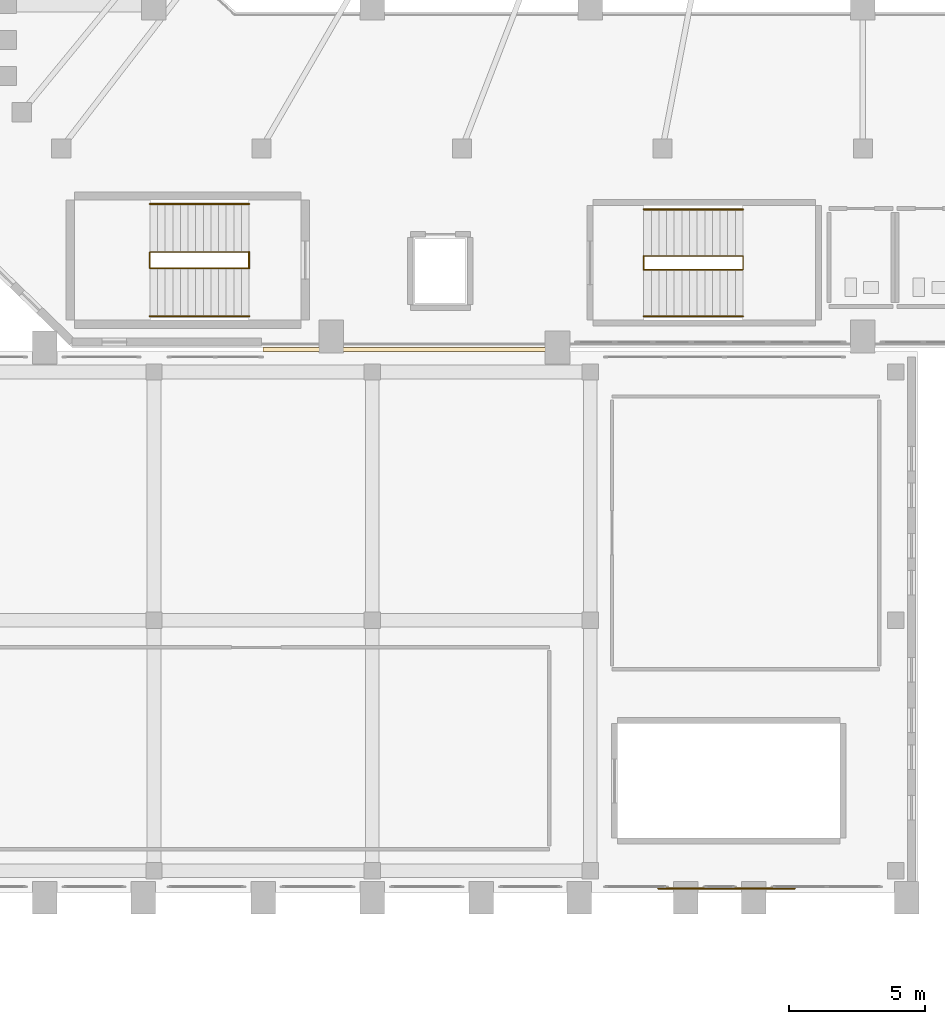
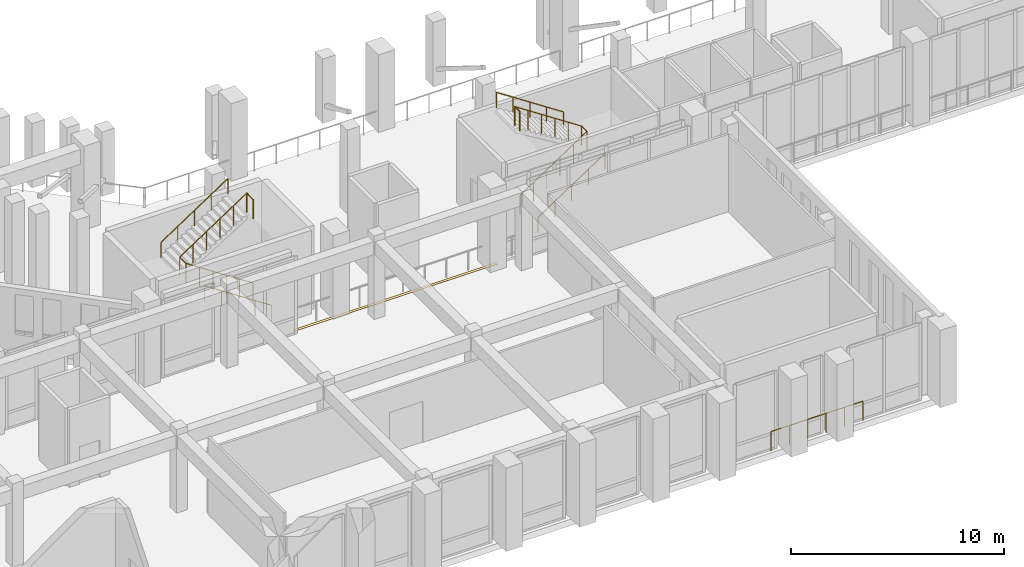
# One storey, part 110 of 126: 9 railings, 1 covering.
"""IFC4 building model written with IfcOpenShell, lengths in metres."""

from ifc_helpers import new_model, si_unit, derived_unit, direction, frame, origin, origin_2d, place, context, subcontext, project, spatial, polyline, circle, outline, extrude, material, layer, layer_set, type_object, element, save


model = new_model("IFC4")

# Units and contexts
model_context = context("Model", 3, precision=1e-05, world=origin(), true_north=direction((0.0, 1.0)))
body_context = subcontext(model_context, "Body", "Model", "MODEL_VIEW")
ifc_project = project(units=[si_unit("LENGTHUNIT", "METRE"), si_unit("AREAUNIT", "SQUARE_METRE"), si_unit("VOLUMEUNIT", "CUBIC_METRE"), si_unit("PLANEANGLEUNIT", "RADIAN"), si_unit("MASSUNIT", "GRAM", prefix="KILO"), derived_unit("THERMALTRANSMITTANCEUNIT", [(si_unit("MASSUNIT", "GRAM", prefix="KILO"), 1), (si_unit("TIMEUNIT", "SECOND"), -3), (si_unit("THERMODYNAMICTEMPERATUREUNIT", "KELVIN"), -1)])], contexts=[model_context])

# Site, building, storey
site_placement = place(None, origin())
site = spatial("IfcSite", under=ifc_project, at=site_placement, CompositionType="ELEMENT")
building_placement = place(site_placement, origin())
building = spatial("IfcBuilding", under=site, at=building_placement, Name="Valcora Ridge Arena", CompositionType="ELEMENT")
storey_placement = place(building_placement, frame((0.0, 0.0, 11.39990234375)))
storey = spatial("IfcBuildingStorey", under=building, at=storey_placement, Name="L02", CompositionType="ELEMENT", Elevation=11.39990234375)

# Covering
ifc_material_1 = material(Name="Steel ASTM A572 Grade 50", Category="steel")
ifc_layer = layer(ifc_material_1, 0.02001953125, Name="Steel ASTM A572 Grade 50")
ifc_layer_set = layer_set([ifc_layer], Name="Steel ASTM A572 Grade 50")
covering_type = type_object("IfcCoveringType", Name="TY-COVERING-COV-SJ-150", PredefinedType="FLOORING", material=ifc_layer_set)
covering_placement = place(storey_placement, frame((0.0, 0.0, -0.02001953125)))
element("IfcCovering", 1, at=covering_placement, inside=storey, type_object=covering_type, Name="COV-SJ-150 COV-SJ-0012", PredefinedType="FLOORING", context=body_context, shape_type="SweptSolid", body=[
    extrude(outline(polyline([(36.0, 19.85009765625), (47.0, 19.85009765625), (47.0, 20.0), (36.0, 20.0), (36.0, 19.85009765625)])), origin(), (0.0, 0.0, 1.0), 0.02001953125),
])

# Railings
ifc_material_2 = material(Name="Galvanized painted steel ASTM A500 Grade B", Category="steel")
railing_type_1 = type_object("IfcRailingType", Name="TY-RAILING-GRD-STAIR-1120", PredefinedType="GUARDRAIL", material=ifc_material_2)
railing_1_placement = place(storey_placement, frame((35.489990234375, 22.89990234375, 0.0)))
element("IfcRailing", 2, at=railing_1_placement, inside=storey, type_object=railing_type_1, Name="GRD-STAIR-1120 RAL-SG-0007", PredefinedType="GUARDRAIL", context=body_context, shape_type="SweptSolid", body=[
    extrude(circle(Radius=0.02392578125, at=origin_2d()), frame((0.0, 0.0, 1.09619140625), z_axis=(-0.834839479206, 0.0, 0.550493454965), x_axis=(0.0, -1.0, 0.0)), (0.0, 0.0, 1.0), 4.360107421875),
    extrude(circle(Radius=0.02392578125, at=origin_2d()), frame((-3.639892578125, 0.0, 3.49609375), z_axis=(0.0, 1.0, 0.0), x_axis=(-1.0, 0.0, 0.0)), (0.0, 0.0, 1.0), 0.60009765625),
    extrude(circle(Radius=0.02392578125, at=origin_2d()), frame((-3.639892578125, 0.60009765625, 3.49609375), z_axis=(0.834865213223, 0.0, 0.550454426587), x_axis=(0.0, 1.0, 0.0)), (0.0, 0.0, 1.0), 4.35986328125),
    extrude(circle(Radius=0.02099609375, at=origin_2d()), origin(), (0.0, 0.0, 1.0), 1.072021484375),
    extrude(circle(Radius=0.02099609375, at=origin_2d()), frame((-0.72802734375, 0.0, 0.47998046875)), (0.0, 0.0, 1.0), 1.072021484375),
    extrude(circle(Radius=0.02099609375, at=origin_2d()), frame((-1.4560546875, 0.0, 0.9599609375)), (0.0, 0.0, 1.0), 1.072021484375),
    extrude(circle(Radius=0.02099609375, at=origin_2d()), frame((-2.183837890625, 0.0, 1.440185546875)), (0.0, 0.0, 1.0), 1.072021484375),
    extrude(circle(Radius=0.02099609375, at=origin_2d()), frame((-2.911865234375, 0.0, 1.920166015625)), (0.0, 0.0, 1.0), 1.072021484375),
    extrude(circle(Radius=0.02099609375, at=origin_2d()), frame((-3.639892578125, 0.0, 2.400146484375)), (0.0, 0.0, 1.0), 1.072021484375),
    extrude(circle(Radius=0.02099609375, at=origin_2d()), frame((-3.639892578125, 0.60009765625, 2.400146484375)), (0.0, 0.0, 1.0), 1.072021484375),
    extrude(circle(Radius=0.02099609375, at=origin_2d()), frame((-2.911865234375, 0.60009765625, 2.880126953125)), (0.0, 0.0, 1.0), 1.072021484375),
    extrude(circle(Radius=0.02099609375, at=origin_2d()), frame((-2.183837890625, 0.60009765625, 3.360107421875)), (0.0, 0.0, 1.0), 1.072021484375),
    extrude(circle(Radius=0.02099609375, at=origin_2d()), frame((-1.4560546875, 0.60009765625, 3.840087890625)), (0.0, 0.0, 1.0), 1.072021484375),
    extrude(circle(Radius=0.02099609375, at=origin_2d()), frame((-0.72802734375, 0.60009765625, 4.320068359375)), (0.0, 0.0, 1.0), 1.072021484375),
    extrude(circle(Radius=0.02099609375, at=origin_2d()), frame((0.0, 0.60009765625, 4.800048828125)), (0.0, 0.0, 1.0), 1.072021484375),
])
railing_2_placement = place(storey_placement, frame((35.489990234375, 22.89990234375, 4.800048828125)))
element("IfcRailing", 3, at=railing_2_placement, inside=storey, type_object=railing_type_1, Name="GRD-STAIR-1120 RAL-SG-0008", PredefinedType="GUARDRAIL", context=body_context, shape_type="SweptSolid", body=[
    extrude(circle(Radius=0.02392578125, at=origin_2d()), frame((0.0, 0.0, 1.09619140625), z_axis=(0.0, 1.0, 0.0), x_axis=(-1.0, 0.0, 0.0)), (0.0, 0.0, 1.0), 0.60009765625),
    extrude(circle(Radius=0.02099609375, at=origin_2d()), origin(), (0.0, 0.0, 1.0), 1.072021484375),
    extrude(circle(Radius=0.02099609375, at=origin_2d()), frame((0.0, 0.60009765625, 0.0)), (0.0, 0.0, 1.0), 1.072021484375),
])
railing_3_placement = place(storey_placement, frame((49.9599609375, 22.85009765625, 0.0)))
element("IfcRailing", 4, at=railing_3_placement, inside=storey, type_object=railing_type_1, Name="GRD-STAIR-1120 RAL-SG-0101", PredefinedType="GUARDRAIL", context=body_context, shape_type="SweptSolid", body=[
    extrude(circle(Radius=0.02392578125, at=origin_2d()), frame((0.0, 0.0, 1.09619140625), z_axis=(0.834856447115, 0.0, 0.55046772177), x_axis=(0.0, 1.0, 0.0)), (0.0, 0.0, 1.0), 4.360107421875),
    extrude(circle(Radius=0.02392578125, at=origin_2d()), frame((3.64013671875, 0.0, 3.49609375), z_axis=(0.0, 1.0, 0.0), x_axis=(-1.0, 0.0, 0.0)), (0.0, 0.0, 1.0), 0.5),
    extrude(circle(Radius=0.02392578125, at=origin_2d()), frame((3.64013671875, 0.5, 3.49609375), z_axis=(-0.83488217925, 0.0, 0.55042869363), x_axis=(0.0, -1.0, 0.0)), (0.0, 0.0, 1.0), 4.360107421875),
    extrude(circle(Radius=0.02099609375, at=origin_2d()), origin(), (0.0, 0.0, 1.0), 1.072021484375),
    extrude(circle(Radius=0.02099609375, at=origin_2d()), frame((0.72802734375, 0.0, 0.47998046875)), (0.0, 0.0, 1.0), 1.072021484375),
    extrude(circle(Radius=0.02099609375, at=origin_2d()), frame((1.4560546875, 0.0, 0.9599609375)), (0.0, 0.0, 1.0), 1.072021484375),
    extrude(circle(Radius=0.02099609375, at=origin_2d()), frame((2.18408203125, 0.0, 1.440185546875)), (0.0, 0.0, 1.0), 1.072021484375),
    extrude(circle(Radius=0.02099609375, at=origin_2d()), frame((2.912109375, 0.0, 1.920166015625)), (0.0, 0.0, 1.0), 1.072021484375),
    extrude(circle(Radius=0.02099609375, at=origin_2d()), frame((3.64013671875, 0.0, 2.400146484375)), (0.0, 0.0, 1.0), 1.072021484375),
    extrude(circle(Radius=0.02099609375, at=origin_2d()), frame((3.64013671875, 0.5, 2.400146484375)), (0.0, 0.0, 1.0), 1.072021484375),
    extrude(circle(Radius=0.02099609375, at=origin_2d()), frame((2.912109375, 0.5, 2.880126953125)), (0.0, 0.0, 1.0), 1.072021484375),
    extrude(circle(Radius=0.02099609375, at=origin_2d()), frame((2.18408203125, 0.5, 3.360107421875)), (0.0, 0.0, 1.0), 1.072021484375),
    extrude(circle(Radius=0.02099609375, at=origin_2d()), frame((1.4560546875, 0.5, 3.840087890625)), (0.0, 0.0, 1.0), 1.072021484375),
    extrude(circle(Radius=0.02099609375, at=origin_2d()), frame((0.72802734375, 0.5, 4.320068359375)), (0.0, 0.0, 1.0), 1.072021484375),
    extrude(circle(Radius=0.02099609375, at=origin_2d()), frame((0.0, 0.5, 4.800048828125)), (0.0, 0.0, 1.0), 1.072021484375),
])
railing_4_placement = place(storey_placement, frame((49.9599609375, 22.85009765625, 4.800048828125)))
element("IfcRailing", 5, at=railing_4_placement, inside=storey, type_object=railing_type_1, Name="GRD-STAIR-1120 RAL-SG-0102", PredefinedType="GUARDRAIL", context=body_context, shape_type="SweptSolid", body=[
    extrude(circle(Radius=0.02392578125, at=origin_2d()), frame((0.0, 0.0, 1.09619140625), z_axis=(0.0, 1.0, 0.0), x_axis=(-1.0, 0.0, 0.0)), (0.0, 0.0, 1.0), 0.5),
    extrude(circle(Radius=0.02099609375, at=origin_2d()), origin(), (0.0, 0.0, 1.0), 1.072021484375),
    extrude(circle(Radius=0.02099609375, at=origin_2d()), frame((0.0, 0.5, 0.0)), (0.0, 0.0, 1.0), 1.072021484375),
])
railing_type_2 = type_object("IfcRailingType", Name="TY-RAILING-GRD-VOID-1120", PredefinedType="GUARDRAIL", material=ifc_material_2)
railing_5_placement = place(storey_placement, frame((50.5, 0.159912109375, 0.0)))
element("IfcRailing", 6, at=railing_5_placement, inside=storey, type_object=railing_type_2, Name="GRD-VOID-1120 RAL-DK-0020", PredefinedType="GUARDRAIL", context=body_context, shape_type="SweptSolid", body=[
    extrude(circle(Radius=0.02392578125, at=origin_2d()), frame((0.0, 0.0, 1.09619140625), z_axis=(1.0, 0.0, 0.0), x_axis=(0.0, 1.0, 0.0)), (0.0, 0.0, 1.0), 5.0),
    extrude(circle(Radius=0.02099609375, at=origin_2d()), origin(), (0.0, 0.0, 1.0), 1.072021484375),
    extrude(circle(Radius=0.02099609375, at=origin_2d()), frame((1.0, 0.0, 0.0)), (0.0, 0.0, 1.0), 1.072021484375),
    extrude(circle(Radius=0.02099609375, at=origin_2d()), frame((2.0, 0.0, 0.0)), (0.0, 0.0, 1.0), 1.072021484375),
    extrude(circle(Radius=0.02099609375, at=origin_2d()), frame((3.0, 0.0, 0.0)), (0.0, 0.0, 1.0), 1.072021484375),
    extrude(circle(Radius=0.02099609375, at=origin_2d()), frame((4.0, 0.0, 0.0)), (0.0, 0.0, 1.0), 1.072021484375),
    extrude(circle(Radius=0.02099609375, at=origin_2d()), frame((5.0, 0.0, 0.0)), (0.0, 0.0, 1.0), 1.072021484375),
])
railing_type_3 = type_object("IfcRailingType", Name="TY-RAILING-HR-STAIR-900", PredefinedType="HANDRAIL", material=ifc_material_2)
railing_6_placement = place(storey_placement, frame((35.489990234375, 21.139892578125, 0.0)))
element("IfcRailing", 7, at=railing_6_placement, inside=storey, type_object=railing_type_3, Name="HR-STAIR-900 RAL-SH-0007", PredefinedType="HANDRAIL", context=body_context, shape_type="SweptSolid", body=[
    extrude(circle(Radius=0.02392578125, at=origin_2d()), frame((0.0, 0.0, 0.8759765625), z_axis=(-0.834839479206, 0.0, 0.550493454965), x_axis=(0.0, -1.0, 0.0)), (0.0, 0.0, 1.0), 4.360107421875),
    extrude(circle(Radius=0.02099609375, at=origin_2d()), origin(), (0.0, 0.0, 1.0), 0.851806640625),
    extrude(circle(Radius=0.02099609375, at=origin_2d()), frame((-0.909912109375, 0.0, 0.60009765625)), (0.0, 0.0, 1.0), 0.851806640625),
    extrude(circle(Radius=0.02099609375, at=origin_2d()), frame((-1.81982421875, 0.0, 1.2001953125)), (0.0, 0.0, 1.0), 0.851806640625),
    extrude(circle(Radius=0.02099609375, at=origin_2d()), frame((-2.72998046875, 0.0, 1.800048828125)), (0.0, 0.0, 1.0), 0.851806640625),
    extrude(circle(Radius=0.02099609375, at=origin_2d()), frame((-3.639892578125, 0.0, 2.400146484375)), (0.0, 0.0, 1.0), 0.851806640625),
])
railing_7_placement = place(storey_placement, frame((31.85009765625, 25.260009765625, 2.400146484375)))
element("IfcRailing", 8, at=railing_7_placement, inside=storey, type_object=railing_type_3, Name="HR-STAIR-900 RAL-SH-0008", PredefinedType="HANDRAIL", context=body_context, shape_type="SweptSolid", body=[
    extrude(circle(Radius=0.02392578125, at=origin_2d()), frame((0.0, 0.0, 0.8759765625), z_axis=(0.834865213223, 0.0, 0.550454426587), x_axis=(0.0, 1.0, 0.0)), (0.0, 0.0, 1.0), 4.35986328125),
    extrude(circle(Radius=0.02099609375, at=origin_2d()), origin(), (0.0, 0.0, 1.0), 0.851806640625),
    extrude(circle(Radius=0.02099609375, at=origin_2d()), frame((0.909912109375, 0.0, 0.60009765625)), (0.0, 0.0, 1.0), 0.851806640625),
    extrude(circle(Radius=0.02099609375, at=origin_2d()), frame((1.81982421875, 0.0, 1.199951171875)), (0.0, 0.0, 1.0), 0.851806640625),
    extrude(circle(Radius=0.02099609375, at=origin_2d()), frame((2.72998046875, 0.0, 1.7998046875)), (0.0, 0.0, 1.0), 0.851806640625),
    extrude(circle(Radius=0.02099609375, at=origin_2d()), frame((3.639892578125, 0.0, 2.39990234375)), (0.0, 0.0, 1.0), 0.851806640625),
])
railing_8_placement = place(storey_placement, frame((49.9599609375, 21.139892578125, 0.0)))
element("IfcRailing", 9, at=railing_8_placement, inside=storey, type_object=railing_type_3, Name="HR-STAIR-900 RAL-SH-0101", PredefinedType="HANDRAIL", context=body_context, shape_type="SweptSolid", body=[
    extrude(circle(Radius=0.02392578125, at=origin_2d()), frame((0.0, 0.0, 0.8759765625), z_axis=(0.834856447115, 0.0, 0.55046772177), x_axis=(0.0, 1.0, 0.0)), (0.0, 0.0, 1.0), 4.360107421875),
    extrude(circle(Radius=0.02099609375, at=origin_2d()), origin(), (0.0, 0.0, 1.0), 0.851806640625),
    extrude(circle(Radius=0.02099609375, at=origin_2d()), frame((0.91015625, 0.0, 0.60009765625)), (0.0, 0.0, 1.0), 0.851806640625),
    extrude(circle(Radius=0.02099609375, at=origin_2d()), frame((1.820068359375, 0.0, 1.2001953125)), (0.0, 0.0, 1.0), 0.851806640625),
    extrude(circle(Radius=0.02099609375, at=origin_2d()), frame((2.72998046875, 0.0, 1.800048828125)), (0.0, 0.0, 1.0), 0.851806640625),
    extrude(circle(Radius=0.02099609375, at=origin_2d()), frame((3.64013671875, 0.0, 2.400146484375)), (0.0, 0.0, 1.0), 0.851806640625),
])
railing_9_placement = place(storey_placement, frame((53.60009765625, 25.06005859375, 2.400146484375)))
element("IfcRailing", 10, at=railing_9_placement, inside=storey, type_object=railing_type_3, Name="HR-STAIR-900 RAL-SH-0102", PredefinedType="HANDRAIL", context=body_context, shape_type="SweptSolid", body=[
    extrude(circle(Radius=0.02392578125, at=origin_2d()), frame((0.0, 0.0, 0.8759765625), z_axis=(-0.83488217925, 0.0, 0.55042869363), x_axis=(0.0, -1.0, 0.0)), (0.0, 0.0, 1.0), 4.360107421875),
    extrude(circle(Radius=0.02099609375, at=origin_2d()), origin(), (0.0, 0.0, 1.0), 0.851806640625),
    extrude(circle(Radius=0.02099609375, at=origin_2d()), frame((-0.91015625, 0.0, 0.60009765625)), (0.0, 0.0, 1.0), 0.851806640625),
    extrude(circle(Radius=0.02099609375, at=origin_2d()), frame((-1.820068359375, 0.0, 1.199951171875)), (0.0, 0.0, 1.0), 0.851806640625),
    extrude(circle(Radius=0.02099609375, at=origin_2d()), frame((-2.72998046875, 0.0, 1.7998046875)), (0.0, 0.0, 1.0), 0.851806640625),
    extrude(circle(Radius=0.02099609375, at=origin_2d()), frame((-3.64013671875, 0.0, 2.39990234375)), (0.0, 0.0, 1.0), 0.851806640625),
])

save(model, "model.ifc")
